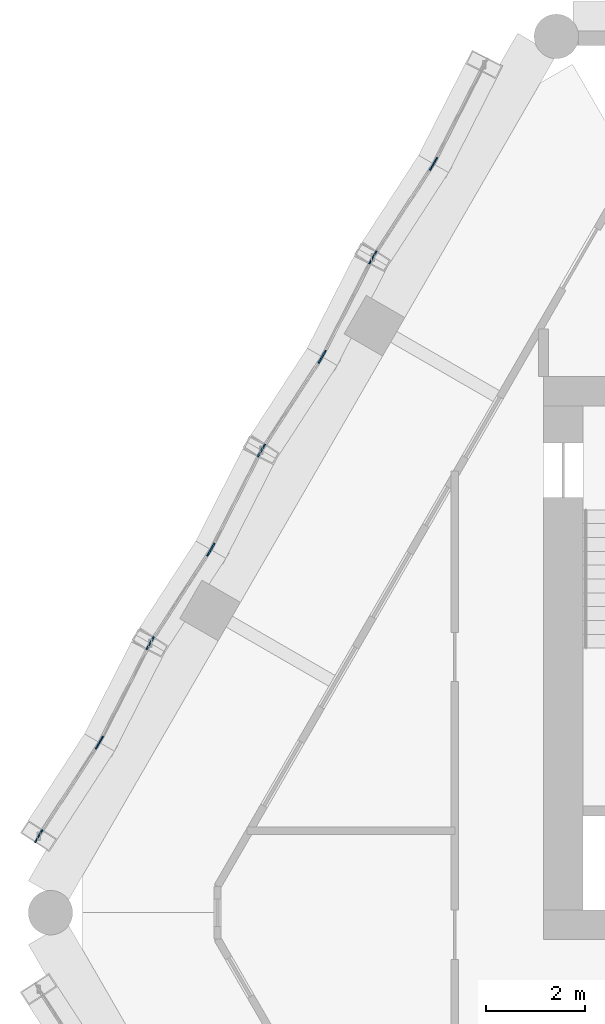
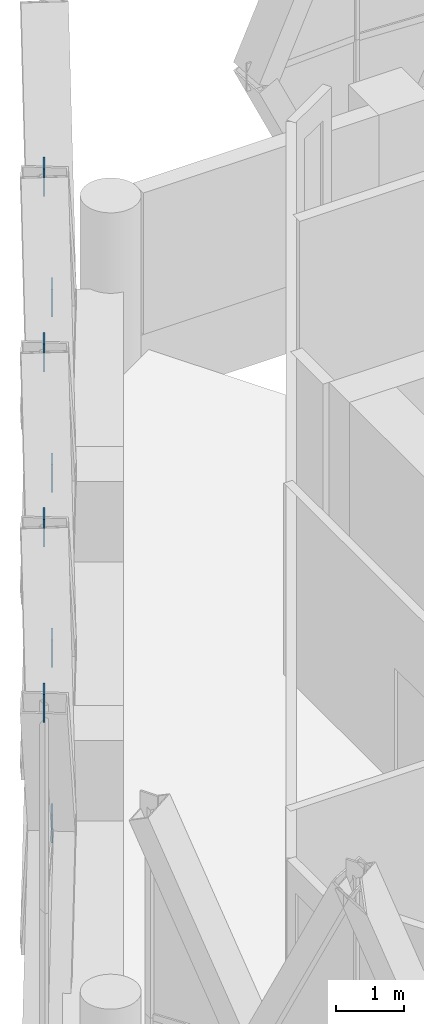
# One storey, part 24 of 27: 8 discrete accessories.
"""IFC4 building model written with IfcOpenShell, lengths in metres."""

from ifc_helpers import new_model, si_unit, direction, frame, origin, origin_2d, place, context, subcontext, project, spatial, rectangle, extrude, material, layer, layer_set, type_object, element, save


model = new_model("IFC4")

# Units and contexts
model_context = context("Model", 3, precision=1e-05, world=origin(), true_north=direction((0.0, 1.0)))
body_context = subcontext(model_context, "Body", "Model", "MODEL_VIEW")
ifc_project = project(units=[si_unit("LENGTHUNIT", "METRE"), si_unit("AREAUNIT", "SQUARE_METRE"), si_unit("VOLUMEUNIT", "CUBIC_METRE"), si_unit("PLANEANGLEUNIT", "RADIAN"), si_unit("MASSUNIT", "GRAM", prefix="KILO")], contexts=[model_context])

# Site, building, storey
site_placement = place(None, origin())
site = spatial("IfcSite", under=ifc_project, at=site_placement, CompositionType="ELEMENT")
building_placement = place(site_placement, origin())
building = spatial("IfcBuilding", under=site, at=building_placement, Name="Ostrander Bayou Hotel Tower", CompositionType="ELEMENT")
storey_placement = place(building_placement, frame((0.0, 0.0, 267.5)))
storey = spatial("IfcBuildingStorey", under=building, at=storey_placement, Name="L66", CompositionType="ELEMENT", Elevation=267.5)

# Discrete accessories
ifc_material = material(Name="Steel ASTM A572 Gr 50", Category="steel")
ifc_layer = layer(ifc_material, 0.030029296875)
ifc_layer_set = layer_set([ifc_layer], Name="GP1 gusset plate 30 mm")
discrete_accessory_type = type_object("IfcDiscreteAccessoryType", Name="GP1 gusset plate 30 mm", PredefinedType="BRACKET", material=ifc_layer_set)
for number, where, z_axis, x_axis, name in (
    (1, (-10.7294921875, 14.006591796875, 2.89990234375), (0.0, 0.0, 1.0), (-0.5, -0.866025403784, 0.0), "GP1 gusset plate lat 512"),
    (2, (-11.95947265625, 12.112548828125, 6.64990234375), (0.0, 0.0, 1.0), (-0.5, -0.866025403784, 0.0), "GP1 gusset plate lat 514"),
    (3, (-12.984619140625, 10.1005859375, 2.89990234375), (0.0, 0.0, 1.0), (-0.5, -0.866025403784, 0.0), "GP1 gusset plate lat 515"),
    (4, (-14.214599609375, 8.206787109375, 6.64990234375), (0.0, 0.0, 1.0), (-0.5, -0.866025403784, 0.0), "GP1 gusset plate lat 516"),
    (5, (-15.23974609375, 6.194580078125, 2.89990234375), (0.0, 0.0, 1.0), (-0.5, -0.866025403784, 0.0), "GP1 gusset plate lat 517"),
    (6, (-16.469482421875, 4.30078125, 6.64990234375), (0.0, 0.0, 1.0), (-0.5, -0.866025403784, 0.0), "GP1 gusset plate lat 518"),
    (7, (-17.494873046875, 2.288818359375, 2.89990234375), (0.0, 0.0, 1.0), (-0.5, -0.866025403784, 0.0), "GP1 gusset plate lat 519"),
    (8, (-18.724609375, 0.39501953125, 6.64990234375), (0.0, 0.0, 1.0), (-0.5, -0.866025403784, 0.0), "GP1 gusset plate lat 520"),
):
    element("IfcDiscreteAccessory", number, at=place(storey_placement, frame(where, z_axis=z_axis, x_axis=x_axis)), inside=storey, type_object=discrete_accessory_type, Name=name, PredefinedType="BRACKET", context=body_context, shape_type="SweptSolid", body=[
        extrude(rectangle(XDim=0.300048828125, YDim=0.030029296875, at=origin_2d()), origin(), (0.0, 0.0, 1.0), 0.5),
    ])

save(model, "model.ifc")
